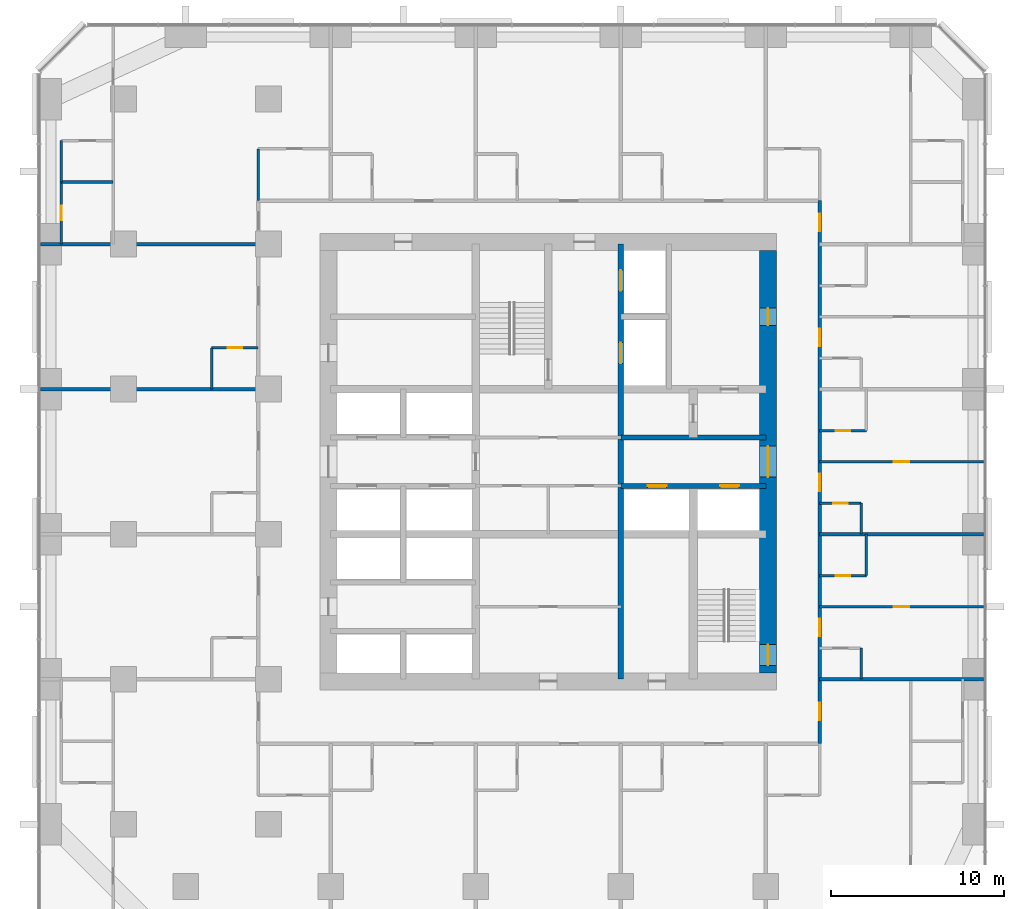
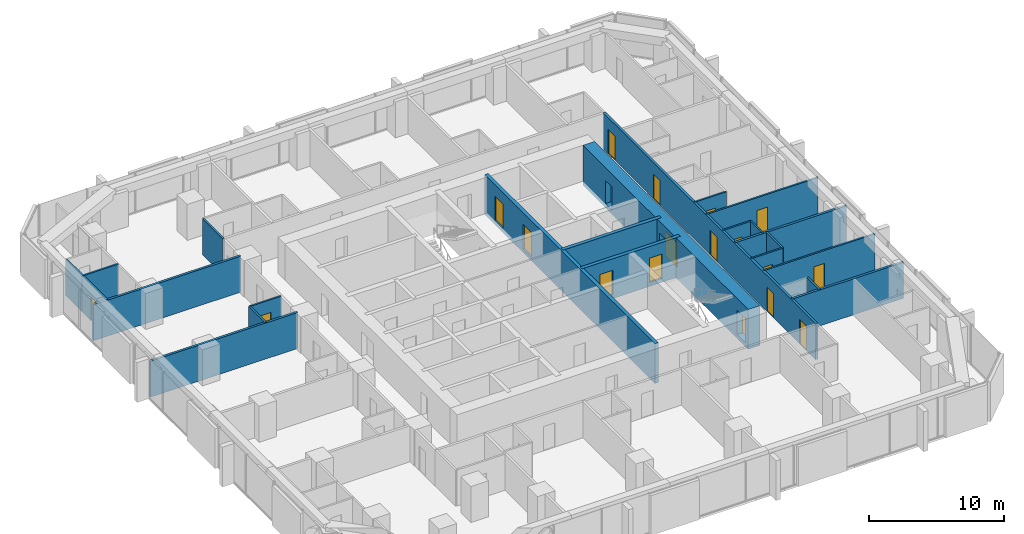
# One storey, part 10 of 13: 23 walls, 19 doors, 19 openings.
"""IFC4 building model written with IfcOpenShell, lengths in metres."""

from ifc_helpers import new_model, si_unit, direction, frame, frame_2d, origin, place, context, subcontext, project, spatial, rectangle, extrude, material, layer, layer_set, type_object, element, fill, save


model = new_model("IFC4")

# Units and contexts
model_context = context("Model", 3, precision=1e-05, world=origin(), true_north=direction((0.0, 1.0)))
body_context = subcontext(model_context, "Body", "Model", "MODEL_VIEW")
ifc_project = project(units=[si_unit("LENGTHUNIT", "METRE"), si_unit("AREAUNIT", "SQUARE_METRE"), si_unit("VOLUMEUNIT", "CUBIC_METRE"), si_unit("PLANEANGLEUNIT", "RADIAN"), si_unit("MASSUNIT", "GRAM", prefix="KILO")], contexts=[model_context])

# Site, building, storey
site_placement = place(None, origin())
site = spatial("IfcSite", under=ifc_project, at=site_placement, CompositionType="ELEMENT")
building_placement = place(site_placement, origin())
building = spatial("IfcBuilding", under=site, at=building_placement, Name="Dunama Terrace Hotel", CompositionType="ELEMENT")
storey_placement = place(building_placement, frame((0.0, 0.0, 118.800048828125)))
storey = spatial("IfcBuildingStorey", under=building, at=storey_placement, Name="L30", CompositionType="ELEMENT", Elevation=118.800048828125)

# Wall, opening, door
ifc_material_1 = material(Name="Gypsum board partition", Category="masonry")
ifc_layer_1 = layer(ifc_material_1, 0.14990234375)
ifc_layer_set_1 = layer_set([ifc_layer_1], Name="Bathroom partition 150")
wall_type_1 = type_object("IfcWallType", Name="Bathroom partition 150", PredefinedType="PARTITIONING", material=ifc_layer_set_1)
wall_1_placement = place(storey_placement, frame((1.199951171875, 42.0, 0.0), z_axis=(0.0, 0.0, 1.0), x_axis=(0.0, 1.0, 0.0)))
wall_1 = element("IfcWall", 1, at=wall_1_placement, inside=storey, type_object=wall_type_1, Name="Bathroom partition 150 L30", PredefinedType="PARTITIONING", context=body_context, shape_type="SweptSolid", body=[
    extrude(rectangle(XDim=3.60009765625, YDim=0.14990234375, at=frame_2d((1.800048828125, 0.0))), origin(), (0.0, 0.0, 1.0), 3.25),
])
opening_1_placement = place(wall_1_placement, frame((1.375, 0.0, 0.0)))
opening_1 = element("IfcOpeningElement", 2, at=opening_1_placement, cuts=wall_1, Name="Opening L30-059", PredefinedType="OPENING", context=body_context, shape_type="SweptSolid", body=[
    extrude(rectangle(XDim=0.85009765625, YDim=2.10009765625, at=frame_2d((0.425048828125, 1.050048828125))), frame((0.0, 0.0849609375, 0.0), z_axis=(0.0, -1.0, 0.0), x_axis=(1.0, 0.0, 0.0)), (0.0, 0.0, 1.0), 0.169921875),
])
ifc_material_2 = material(Name="Timber door with steel frame", Category="steel")
door_type_1 = type_object("IfcDoorType", Name="Bathroom door 850", OperationType="SINGLE_SWING_LEFT", PredefinedType="DOOR", material=ifc_material_2)
door_1_placement = place(opening_1_placement, frame((0.85009765625, 0.0, 0.0), z_axis=(0.0, 0.0, 1.0), x_axis=(-1.0, 0.0, 0.0)))
door_1 = element("IfcDoor", 3, at=door_1_placement, inside=storey, type_object=door_type_1, Name="Door to en-suite bathroom L30-059, type D2", OperationType="SINGLE_SWING_RIGHT", OverallHeight=2.10009765625, OverallWidth=0.85009765625, PredefinedType="DOOR", context=body_context, shape_type="SweptSolid", body=[
    extrude(rectangle(XDim=0.85009765625, YDim=2.10009765625, at=frame_2d((0.425048828125, 1.050048828125))), frame((0.0, 0.025146484375, 0.0), z_axis=(0.0, -1.0, 0.0), x_axis=(1.0, 0.0, 0.0)), (0.0, 0.0, 1.0), 0.050048828125),
])
fill(opening_1, door_1)

# Walls
wall_2_placement = place(storey_placement, frame((9.89990234375, 33.60009765625, 0.0), z_axis=(0.0, 0.0, 1.0), x_axis=(0.0, 1.0, 0.0)))
element("IfcWall", 4, at=wall_2_placement, inside=storey, type_object=wall_type_1, Name="Bathroom partition 150 L30", PredefinedType="PARTITIONING", context=body_context, shape_type="SweptSolid", body=[
    extrude(rectangle(XDim=2.39990234375, YDim=0.14990234375, at=frame_2d((1.199951171875, 0.0))), origin(), (0.0, 0.0, 1.0), 3.25),
])
wall_3_placement = place(storey_placement, frame((12.60009765625, 44.52490234375, 0.0), z_axis=(0.0, 0.0, 1.0), x_axis=(0.0, 1.0, 0.0)))
element("IfcWall", 5, at=wall_3_placement, inside=storey, type_object=wall_type_1, Name="Bathroom partition 150 L30", PredefinedType="PARTITIONING", context=body_context, shape_type="SweptSolid", body=[
    extrude(rectangle(XDim=3.0, YDim=0.14990234375, at=frame_2d((1.5, 0.0))), origin(), (0.0, 0.0, 1.0), 3.25),
])
for number, where, z_axis, x_axis, name in (
    (6, (47.52490234375, 16.800048828125, 0.0), (0.0, 0.0, 1.0), (0.0, 1.0, 0.0), "Bathroom partition 150 L30"),
    (7, (47.52490234375, 25.199951171875, 0.0), (0.0, 0.0, 1.0), (0.0, 1.0, 0.0), "Bathroom partition 150 L30"),
):
    element("IfcWall", number, at=place(storey_placement, frame(where, z_axis=z_axis, x_axis=x_axis)), inside=storey, type_object=wall_type_1, Name=name, PredefinedType="PARTITIONING", context=body_context, shape_type="SweptSolid", body=[
        extrude(rectangle(XDim=1.800048828125, YDim=0.14990234375, at=frame_2d((0.89990234375, 0.0))), origin(), (0.0, 0.0, 1.0), 3.25),
    ])
wall_4_placement = place(storey_placement, frame((47.824951171875, 22.800048828125, 0.0), z_axis=(0.0, 0.0, 1.0), x_axis=(0.0, 1.0, 0.0)))
element("IfcWall", 8, at=wall_4_placement, inside=storey, type_object=wall_type_1, Name="Bathroom partition 150 L30", PredefinedType="PARTITIONING", context=body_context, shape_type="SweptSolid", body=[
    extrude(rectangle(XDim=2.39990234375, YDim=0.14990234375, at=frame_2d((1.199951171875, 0.0))), origin(), (0.0, 0.0, 1.0), 3.25),
])

# Wall, opening, door
wall_5_placement = place(storey_placement, frame((45.125, 22.800048828125, 0.0), z_axis=(0.0, 0.0, 1.0), x_axis=(1.0, 0.0, 0.0)))
wall_5 = element("IfcWall", 9, at=wall_5_placement, inside=storey, type_object=wall_type_1, Name="Bathroom partition 150 L30", PredefinedType="PARTITIONING", context=body_context, shape_type="SweptSolid", body=[
    extrude(rectangle(XDim=2.699951171875, YDim=0.14990234375, at=frame_2d((1.35009765625, 0.0))), origin(), (0.0, 0.0, 1.0), 3.25),
])
opening_2_placement = place(wall_5_placement, frame((0.925048828125, 0.0, 0.0)))
opening_2 = element("IfcOpeningElement", 10, at=opening_2_placement, cuts=wall_5, Name="Opening L30-020", PredefinedType="OPENING", context=body_context, shape_type="SweptSolid", body=[
    extrude(rectangle(XDim=0.85009765625, YDim=2.10009765625, at=frame_2d((0.425048828125, 1.050048828125))), frame((0.0, 0.0849609375, 0.0), z_axis=(0.0, -1.0, 0.0), x_axis=(1.0, 0.0, 0.0)), (0.0, 0.0, 1.0), 0.169921875),
])
door_2_placement = place(opening_2_placement, origin())
door_2 = element("IfcDoor", 11, at=door_2_placement, inside=storey, type_object=door_type_1, Name="Door to en-suite bathroom L30-020, type D2", OperationType="SINGLE_SWING_LEFT", OverallHeight=2.10009765625, OverallWidth=0.85009765625, PredefinedType="DOOR", context=body_context, shape_type="SweptSolid", body=[
    extrude(rectangle(XDim=0.85009765625, YDim=2.10009765625, at=frame_2d((0.425048828125, 1.050048828125))), frame((0.0, 0.02490234375, 0.0), z_axis=(0.0, -1.0, 0.0), x_axis=(1.0, 0.0, 0.0)), (0.0, 0.0, 1.0), 0.050048828125),
])
fill(opening_2, door_2)

wall_6_placement = place(storey_placement, frame((45.125, 27.0, 0.0), z_axis=(0.0, 0.0, 1.0), x_axis=(1.0, 0.0, 0.0)))
wall_6 = element("IfcWall", 12, at=wall_6_placement, inside=storey, type_object=wall_type_1, Name="Bathroom partition 150 L30", PredefinedType="PARTITIONING", context=body_context, shape_type="SweptSolid", body=[
    extrude(rectangle(XDim=2.39990234375, YDim=0.14990234375, at=frame_2d((1.199951171875, 0.0))), origin(), (0.0, 0.0, 1.0), 3.25),
])
opening_3_placement = place(wall_6_placement, frame((0.77490234375, 0.0, 0.0)))
opening_3 = element("IfcOpeningElement", 13, at=opening_3_placement, cuts=wall_6, Name="Opening L30-022", PredefinedType="OPENING", context=body_context, shape_type="SweptSolid", body=[
    extrude(rectangle(XDim=0.85009765625, YDim=2.10009765625, at=frame_2d((0.425048828125, 1.050048828125))), frame((0.0, 0.0849609375, 0.0), z_axis=(0.0, -1.0, 0.0), x_axis=(1.0, 0.0, 0.0)), (0.0, 0.0, 1.0), 0.169921875),
])
door_3_placement = place(opening_3_placement, frame((0.85009765625, 0.0, 0.0), z_axis=(0.0, 0.0, 1.0), x_axis=(-1.0, 0.0, 0.0)))
door_3 = element("IfcDoor", 14, at=door_3_placement, inside=storey, type_object=door_type_1, Name="Door to powder room L30-022, type D2", OperationType="SINGLE_SWING_RIGHT", OverallHeight=2.10009765625, OverallWidth=0.85009765625, PredefinedType="DOOR", context=body_context, shape_type="SweptSolid", body=[
    extrude(rectangle(XDim=0.85009765625, YDim=2.10009765625, at=frame_2d((0.425048828125, 1.050048828125))), frame((0.0, 0.025146484375, 0.0), z_axis=(0.0, -1.0, 0.0), x_axis=(1.0, 0.0, 0.0)), (0.0, 0.0, 1.0), 0.050048828125),
])
fill(opening_3, door_3)

wall_7_placement = place(storey_placement, frame((45.125, 31.199951171875, 0.0), z_axis=(0.0, 0.0, 1.0), x_axis=(1.0, 0.0, 0.0)))
wall_7 = element("IfcWall", 15, at=wall_7_placement, inside=storey, type_object=wall_type_1, Name="Bathroom partition 150 L30", PredefinedType="PARTITIONING", context=body_context, shape_type="SweptSolid", body=[
    extrude(rectangle(XDim=2.699951171875, YDim=0.14990234375, at=frame_2d((1.35009765625, 0.0))), origin(), (0.0, 0.0, 1.0), 3.25),
])
opening_4_placement = place(wall_7_placement, frame((0.925048828125, 0.0, 0.0)))
opening_4 = element("IfcOpeningElement", 16, at=opening_4_placement, cuts=wall_7, Name="Opening L30-024", PredefinedType="OPENING", context=body_context, shape_type="SweptSolid", body=[
    extrude(rectangle(XDim=0.85009765625, YDim=2.10009765625, at=frame_2d((0.425048828125, 1.050048828125))), frame((0.0, 0.0849609375, 0.0), z_axis=(0.0, -1.0, 0.0), x_axis=(1.0, 0.0, 0.0)), (0.0, 0.0, 1.0), 0.169921875),
])
door_4_placement = place(opening_4_placement, origin())
door_4 = element("IfcDoor", 17, at=door_4_placement, inside=storey, type_object=door_type_1, Name="Door to en-suite bathroom L30-024, type D2", OperationType="SINGLE_SWING_LEFT", OverallHeight=2.10009765625, OverallWidth=0.85009765625, PredefinedType="DOOR", context=body_context, shape_type="SweptSolid", body=[
    extrude(rectangle(XDim=0.85009765625, YDim=2.10009765625, at=frame_2d((0.425048828125, 1.050048828125))), frame((0.0, 0.02490234375, 0.0), z_axis=(0.0, -1.0, 0.0), x_axis=(1.0, 0.0, 0.0)), (0.0, 0.0, 1.0), 0.050048828125),
])
fill(opening_4, door_4)

wall_8_placement = place(storey_placement, frame((9.89990234375, 36.0, 0.0), z_axis=(0.0, 0.0, 1.0), x_axis=(1.0, 0.0, 0.0)))
wall_8 = element("IfcWall", 18, at=wall_8_placement, inside=storey, type_object=wall_type_1, Name="Bathroom partition 150 L30", PredefinedType="PARTITIONING", context=body_context, shape_type="SweptSolid", body=[
    extrude(rectangle(XDim=2.7001953125, YDim=0.14990234375, at=frame_2d((1.35009765625, 0.0))), origin(), (0.0, 0.0, 1.0), 3.25),
])
opening_5_placement = place(wall_8_placement, frame((0.925048828125, 0.0, 0.0)))
opening_5 = element("IfcOpeningElement", 19, at=opening_5_placement, cuts=wall_8, Name="Opening L30-040", PredefinedType="OPENING", context=body_context, shape_type="SweptSolid", body=[
    extrude(rectangle(XDim=0.85009765625, YDim=2.10009765625, at=frame_2d((0.425048828125, 1.050048828125))), frame((0.0, 0.0849609375, 0.0), z_axis=(0.0, -1.0, 0.0), x_axis=(1.0, 0.0, 0.0)), (0.0, 0.0, 1.0), 0.169921875),
])
door_5_placement = place(opening_5_placement, frame((0.85009765625, 0.0, 0.0), z_axis=(0.0, 0.0, 1.0), x_axis=(-1.0, 0.0, 0.0)))
door_5 = element("IfcDoor", 20, at=door_5_placement, inside=storey, type_object=door_type_1, Name="Door to en-suite bathroom L30-040, type D2", OperationType="SINGLE_SWING_LEFT", OverallHeight=2.10009765625, OverallWidth=0.85009765625, PredefinedType="DOOR", context=body_context, shape_type="SweptSolid", body=[
    extrude(rectangle(XDim=0.85009765625, YDim=2.10009765625, at=frame_2d((0.425048828125, 1.050048828125))), frame((0.0, 0.025146484375, 0.0), z_axis=(0.0, -1.0, 0.0), x_axis=(1.0, 0.0, 0.0)), (0.0, 0.0, 1.0), 0.050048828125),
])
fill(opening_5, door_5)

# Wall, openings, doors
ifc_material_3 = material(Name="Concrete C50/60", Category="concrete")
ifc_layer_2 = layer(ifc_material_3, 0.300048828125)
ifc_layer_set_2 = layer_set([ifc_layer_2], Name="Core inner wall 300")
wall_type_2 = type_object("IfcWallType", Name="Core inner wall 300", PredefinedType="SHEAR", material=ifc_layer_set_2)
wall_9_placement = place(storey_placement, frame((33.60009765625, 16.800048828125, -0.35009765625), z_axis=(0.0, 0.0, 1.0), x_axis=(0.0, 1.0, 0.0)))
wall_9 = element("IfcWall", 21, at=wall_9_placement, inside=storey, type_object=wall_type_2, Name="Core inner wall 300 L30", PredefinedType="SHEAR", context=body_context, shape_type="SweptSolid", body=[
    extrude(rectangle(XDim=25.199951171875, YDim=0.300048828125, at=frame_2d((12.60009765625, 0.0))), origin(), (0.0, 0.0, 1.0), 3.60009765625),
])
opening_6_placement = place(wall_9_placement, frame((22.5, 0.0, 0.35009765625)))
opening_6 = element("IfcOpeningElement", 22, at=opening_6_placement, cuts=wall_9, Name="Opening L30-009", PredefinedType="OPENING", context=body_context, shape_type="SweptSolid", body=[
    extrude(rectangle(XDim=1.199951171875, YDim=2.199951171875, at=frame_2d((0.60009765625, 1.10009765625))), frame((0.0, 0.159912109375, 0.0), z_axis=(0.0, -1.0, 0.0), x_axis=(1.0, 0.0, 0.0)), (0.0, 0.0, 1.0), 0.320068359375),
])
opening_7_placement = place(wall_9_placement, frame((18.300048828125, 0.0, 0.35009765625)))
opening_7 = element("IfcOpeningElement", 23, at=opening_7_placement, cuts=wall_9, Name="Opening L30-010", PredefinedType="OPENING", context=body_context, shape_type="SweptSolid", body=[
    extrude(rectangle(XDim=1.199951171875, YDim=2.199951171875, at=frame_2d((0.60009765625, 1.10009765625))), frame((0.0, 0.159912109375, 0.0), z_axis=(0.0, -1.0, 0.0), x_axis=(1.0, 0.0, 0.0)), (0.0, 0.0, 1.0), 0.320068359375),
])
ifc_material_4 = material(Name="Stainless steel lift door", Category="steel")
door_type_2 = type_object("IfcDoorType", Name="Firefighting lift landing door 1200", OperationType="DOUBLE_DOOR_SLIDING", PredefinedType="DOOR", material=ifc_material_4)
door_6_placement = place(opening_6_placement, origin())
door_6 = element("IfcDoor", 24, at=door_6_placement, inside=storey, type_object=door_type_2, Name="Landing door FL1 L30-009, type LD2", OperationType="DOUBLE_DOOR_SLIDING", OverallHeight=2.199951171875, OverallWidth=1.199951171875, PredefinedType="DOOR", context=body_context, shape_type="SweptSolid", body=[
    extrude(rectangle(XDim=1.199951171875, YDim=2.199951171875, at=frame_2d((0.60009765625, 1.10009765625))), frame((0.0, 0.02490234375, 0.0), z_axis=(0.0, -1.0, 0.0), x_axis=(1.0, 0.0, 0.0)), (0.0, 0.0, 1.0), 0.050048828125),
])
fill(opening_6, door_6)
door_7_placement = place(opening_7_placement, origin())
door_7 = element("IfcDoor", 25, at=door_7_placement, inside=storey, type_object=door_type_2, Name="Landing door FL2 L30-010, type LD2", OperationType="DOUBLE_DOOR_SLIDING", OverallHeight=2.199951171875, OverallWidth=1.199951171875, PredefinedType="DOOR", context=body_context, shape_type="SweptSolid", body=[
    extrude(rectangle(XDim=1.199951171875, YDim=2.199951171875, at=frame_2d((0.60009765625, 1.10009765625))), frame((0.0, 0.02490234375, 0.0), z_axis=(0.0, -1.0, 0.0), x_axis=(1.0, 0.0, 0.0)), (0.0, 0.0, 1.0), 0.050048828125),
])
fill(opening_7, door_7)

wall_10_placement = place(storey_placement, frame((33.60009765625, 28.0, -0.35009765625), z_axis=(0.0, 0.0, 1.0), x_axis=(1.0, 0.0, 0.0)))
wall_10 = element("IfcWall", 26, at=wall_10_placement, inside=storey, type_object=wall_type_2, Name="Core inner wall 300 L30", PredefinedType="SHEAR", context=body_context, shape_type="SweptSolid", body=[
    extrude(rectangle(XDim=8.39990234375, YDim=0.300048828125, at=frame_2d((4.199951171875, 0.0))), origin(), (0.0, 0.0, 1.0), 3.60009765625),
])
opening_8_placement = place(wall_10_placement, frame((1.550048828125, 0.0, 0.35009765625)))
opening_8 = element("IfcOpeningElement", 27, at=opening_8_placement, cuts=wall_10, Name="Opening L30-003", PredefinedType="OPENING", context=body_context, shape_type="SweptSolid", body=[
    extrude(rectangle(XDim=1.10009765625, YDim=2.199951171875, at=frame_2d((0.550048828125, 1.10009765625))), frame((0.0, 0.159912109375, 0.0), z_axis=(0.0, -1.0, 0.0), x_axis=(1.0, 0.0, 0.0)), (0.0, 0.0, 1.0), 0.320068359375),
])
opening_9_placement = place(wall_10_placement, frame((5.75, 0.0, 0.35009765625)))
opening_9 = element("IfcOpeningElement", 28, at=opening_9_placement, cuts=wall_10, Name="Opening L30-004", PredefinedType="OPENING", context=body_context, shape_type="SweptSolid", body=[
    extrude(rectangle(XDim=1.10009765625, YDim=2.199951171875, at=frame_2d((0.550048828125, 1.10009765625))), frame((0.0, 0.159912109375, 0.0), z_axis=(0.0, -1.0, 0.0), x_axis=(1.0, 0.0, 0.0)), (0.0, 0.0, 1.0), 0.320068359375),
])
ifc_material_5 = material(Name="Stainless steel lift door", Category="steel")
door_type_3 = type_object("IfcDoorType", Name="Lift landing door 1100", OperationType="DOUBLE_DOOR_SLIDING", PredefinedType="DOOR", material=ifc_material_5)
door_8_placement = place(opening_8_placement, origin())
door_8 = element("IfcDoor", 29, at=door_8_placement, inside=storey, type_object=door_type_3, Name="Landing door PB1 L30-003, type LD1", OperationType="DOUBLE_DOOR_SLIDING", OverallHeight=2.199951171875, OverallWidth=1.10009765625, PredefinedType="DOOR", context=body_context, shape_type="SweptSolid", body=[
    extrude(rectangle(XDim=1.10009765625, YDim=2.199951171875, at=frame_2d((0.550048828125, 1.10009765625))), frame((0.0, 0.02490234375, 0.0), z_axis=(0.0, -1.0, 0.0), x_axis=(1.0, 0.0, 0.0)), (0.0, 0.0, 1.0), 0.050048828125),
])
fill(opening_8, door_8)
door_9_placement = place(opening_9_placement, origin())
door_9 = element("IfcDoor", 30, at=door_9_placement, inside=storey, type_object=door_type_3, Name="Landing door PB2 L30-004, type LD1", OperationType="DOUBLE_DOOR_SLIDING", OverallHeight=2.199951171875, OverallWidth=1.10009765625, PredefinedType="DOOR", context=body_context, shape_type="SweptSolid", body=[
    extrude(rectangle(XDim=1.10009765625, YDim=2.199951171875, at=frame_2d((0.550048828125, 1.10009765625))), frame((0.0, 0.02490234375, 0.0), z_axis=(0.0, -1.0, 0.0), x_axis=(1.0, 0.0, 0.0)), (0.0, 0.0, 1.0), 0.050048828125),
])
fill(opening_9, door_9)

# Wall
wall_11_placement = place(storey_placement, frame((33.60009765625, 30.800048828125, -0.35009765625), z_axis=(0.0, 0.0, 1.0), x_axis=(1.0, 0.0, 0.0)))
element("IfcWall", 31, at=wall_11_placement, inside=storey, type_object=wall_type_2, Name="Core inner wall 300 L30", PredefinedType="SHEAR", context=body_context, shape_type="SweptSolid", body=[
    extrude(rectangle(XDim=8.39990234375, YDim=0.300048828125, at=frame_2d((4.199951171875, 0.0))), origin(), (0.0, 0.0, 1.0), 3.60009765625),
])

# Wall, openings, doors
ifc_material_6 = material(Name="Concrete C60/75", Category="concrete")
ifc_layer_3 = layer(ifc_material_6, 1.0)
ifc_layer_set_3 = layer_set([ifc_layer_3], Name="Core wall 1000")
wall_type_3 = type_object("IfcWallType", Name="Core wall 1000", PredefinedType="SHEAR", material=ifc_layer_set_3)
wall_12_placement = place(storey_placement, frame((42.125, 17.175048828125, -0.35009765625), z_axis=(0.0, 0.0, 1.0), x_axis=(0.0, 1.0, 0.0)))
wall_12 = element("IfcWall", 32, at=wall_12_placement, inside=storey, type_object=wall_type_3, Name="Core wall east L30", PredefinedType="SHEAR", context=body_context, shape_type="SweptSolid", body=[
    extrude(rectangle(XDim=24.449951171875, YDim=1.0, at=frame_2d((12.22509765625, 0.0))), origin(), (0.0, 0.0, 1.0), 3.60009765625),
])
opening_10_placement = place(wall_12_placement, frame((0.425048828125, 0.0, 0.35009765625)))
opening_10 = element("IfcOpeningElement", 33, at=opening_10_placement, cuts=wall_12, Name="Opening L30-002", PredefinedType="OPENING", context=body_context, shape_type="SweptSolid", body=[
    extrude(rectangle(XDim=1.199951171875, YDim=2.199951171875, at=frame_2d((0.60009765625, 1.10009765625))), frame((0.0, 0.510009765625, 0.0), z_axis=(0.0, -1.0, 0.0), x_axis=(1.0, 0.0, 0.0)), (0.0, 0.0, 1.0), 1.02001953125),
])
opening_11_placement = place(wall_12_placement, frame((11.324951171875, 0.0, 0.35009765625)))
opening_11 = element("IfcOpeningElement", 34, at=opening_11_placement, cuts=wall_12, Name="Opening L30-071", PredefinedType="OPENING", context=body_context, shape_type="SweptSolid", body=[
    extrude(rectangle(XDim=1.800048828125, YDim=2.199951171875, at=frame_2d((0.89990234375, 1.10009765625))), frame((0.0, 0.510009765625, 0.0), z_axis=(0.0, -1.0, 0.0), x_axis=(1.0, 0.0, 0.0)), (0.0, 0.0, 1.0), 1.02001953125),
])
opening_12_placement = place(wall_12_placement, frame((20.125, 0.0, 0.35009765625)))
opening_12 = element("IfcOpeningElement", 35, at=opening_12_placement, cuts=wall_12, Name="Opening L30-073", PredefinedType="OPENING", context=body_context, shape_type="SweptSolid", body=[
    extrude(rectangle(XDim=1.0, YDim=2.10009765625, at=frame_2d((0.5, 1.050048828125))), frame((0.0, 0.510009765625, 0.0), z_axis=(0.0, -1.0, 0.0), x_axis=(1.0, 0.0, 0.0)), (0.0, 0.0, 1.0), 1.02001953125),
])
ifc_material_7 = material(Name="Timber door with steel frame", Category="steel")
door_type_4 = type_object("IfcDoorType", Name="Lift lobby double door 1800", OperationType="DOUBLE_DOOR_DOUBLE_SWING", PredefinedType="DOOR", material=ifc_material_7)
door_10_placement = place(opening_11_placement, origin())
door_10 = element("IfcDoor", 36, at=door_10_placement, inside=storey, type_object=door_type_4, Name="Door to lift lobby L30-071, type D3", OperationType="DOUBLE_DOOR_DOUBLE_SWING", OverallHeight=2.199951171875, OverallWidth=1.800048828125, PredefinedType="DOOR", context=body_context, shape_type="SweptSolid", body=[
    extrude(rectangle(XDim=1.800048828125, YDim=2.199951171875, at=frame_2d((0.89990234375, 1.10009765625))), frame((0.0, 0.02490234375, 0.0), z_axis=(0.0, -1.0, 0.0), x_axis=(1.0, 0.0, 0.0)), (0.0, 0.0, 1.0), 0.050048828125),
])
fill(opening_11, door_10)
ifc_material_8 = material(Name="Timber door with steel frame", Category="steel")
door_type_5 = type_object("IfcDoorType", Name="Service door 1000", OperationType="SINGLE_SWING_LEFT", PredefinedType="DOOR", material=ifc_material_8)
door_11_placement = place(opening_12_placement, origin())
door_11 = element("IfcDoor", 37, at=door_11_placement, inside=storey, type_object=door_type_5, Name="Door to linen store L30-073, type D7", OperationType="SINGLE_SWING_LEFT", OverallHeight=2.10009765625, OverallWidth=1.0, PredefinedType="DOOR", context=body_context, shape_type="SweptSolid", body=[
    extrude(rectangle(XDim=1.0, YDim=2.10009765625, at=frame_2d((0.5, 1.050048828125))), frame((0.0, 0.02490234375, 0.0), z_axis=(0.0, -1.0, 0.0), x_axis=(1.0, 0.0, 0.0)), (0.0, 0.0, 1.0), 0.050048828125),
])
fill(opening_12, door_11)
ifc_material_9 = material(Name="Timber door with steel frame", Category="steel")
door_type_6 = type_object("IfcDoorType", Name="Stair door 1200", OperationType="SINGLE_SWING_LEFT", PredefinedType="DOOR", material=ifc_material_9)
door_12_placement = place(opening_10_placement, origin())
door_12 = element("IfcDoor", 38, at=door_12_placement, inside=storey, type_object=door_type_6, Name="Stair door ST2 L30-002, type D5", OperationType="SINGLE_SWING_LEFT", OverallHeight=2.199951171875, OverallWidth=1.199951171875, PredefinedType="DOOR", context=body_context, shape_type="SweptSolid", body=[
    extrude(rectangle(XDim=1.199951171875, YDim=2.199951171875, at=frame_2d((0.60009765625, 1.10009765625))), frame((0.0, 0.02490234375, 0.0), z_axis=(0.0, -1.0, 0.0), x_axis=(1.0, 0.0, 0.0)), (0.0, 0.0, 1.0), 0.050048828125),
])
fill(opening_10, door_12)

ifc_material_10 = material(Name="Concrete blockwork", Category="masonry")
ifc_layer_4 = layer(ifc_material_10, 0.199951171875)
ifc_layer_set_4 = layer_set([ifc_layer_4], Name="Corridor partition 200")
wall_type_4 = type_object("IfcWallType", Name="Corridor partition 200", PredefinedType="PARTITIONING", material=ifc_layer_set_4)
wall_13_placement = place(storey_placement, frame((45.125, 44.52490234375, 0.0), z_axis=(0.0, 0.0, 1.0), x_axis=(0.0, -1.0, 0.0)))
wall_13 = element("IfcWall", 39, at=wall_13_placement, inside=storey, type_object=wall_type_4, Name="Corridor partition 200 L30", PredefinedType="PARTITIONING", context=body_context, shape_type="SweptSolid", body=[
    extrude(rectangle(XDim=31.449951171875, YDim=0.199951171875, at=frame_2d((15.72509765625, 0.0))), origin(), (0.0, 0.0, 1.0), 3.25),
])
opening_13_placement = place(wall_13_placement, frame((24.22509765625, 0.0, 0.0)))
opening_13 = element("IfcOpeningElement", 40, at=opening_13_placement, cuts=wall_13, Name="Opening L30-017", PredefinedType="OPENING", context=body_context, shape_type="SweptSolid", body=[
    extrude(rectangle(XDim=1.0, YDim=2.199951171875, at=frame_2d((0.5, 1.10009765625))), frame((0.0, 0.10986328125, 0.0), z_axis=(0.0, -1.0, 0.0), x_axis=(1.0, 0.0, 0.0)), (0.0, 0.0, 1.0), 0.219970703125),
])
opening_14_placement = place(wall_13_placement, frame((15.824951171875, 0.0, 0.0)))
opening_14 = element("IfcOpeningElement", 41, at=opening_14_placement, cuts=wall_13, Name="Opening L30-021", PredefinedType="OPENING", context=body_context, shape_type="SweptSolid", body=[
    extrude(rectangle(XDim=1.0, YDim=2.199951171875, at=frame_2d((0.5, 1.10009765625))), frame((0.0, 0.10986328125, 0.0), z_axis=(0.0, -1.0, 0.0), x_axis=(1.0, 0.0, 0.0)), (0.0, 0.0, 1.0), 0.219970703125),
])
opening_15_placement = place(wall_13_placement, frame((7.425048828125, 0.0, 0.0)))
opening_15 = element("IfcOpeningElement", 42, at=opening_15_placement, cuts=wall_13, Name="Opening L30-025", PredefinedType="OPENING", context=body_context, shape_type="SweptSolid", body=[
    extrude(rectangle(XDim=1.0, YDim=2.199951171875, at=frame_2d((0.5, 1.10009765625))), frame((0.0, 0.10986328125, 0.0), z_axis=(0.0, -1.0, 0.0), x_axis=(1.0, 0.0, 0.0)), (0.0, 0.0, 1.0), 0.219970703125),
])
opening_16_placement = place(wall_13_placement, frame((29.0869140625, 0.0, 0.0)))
opening_16 = element("IfcOpeningElement", 43, at=opening_16_placement, cuts=wall_13, Name="Opening L30-046", PredefinedType="OPENING", context=body_context, shape_type="SweptSolid", body=[
    extrude(rectangle(XDim=1.0, YDim=2.199951171875, at=frame_2d((0.5, 1.10009765625))), frame((0.0, 0.10986328125, 0.0), z_axis=(0.0, -1.0, 0.0), x_axis=(1.0, 0.0, 0.0)), (0.0, 0.0, 1.0), 0.219970703125),
])
opening_17_placement = place(wall_13_placement, frame((0.761962890625, 0.0, 0.0)))
opening_17 = element("IfcOpeningElement", 44, at=opening_17_placement, cuts=wall_13, Name="Opening L30-051", PredefinedType="OPENING", context=body_context, shape_type="SweptSolid", body=[
    extrude(rectangle(XDim=1.0, YDim=2.199951171875, at=frame_2d((0.5, 1.10009765625))), frame((0.0, 0.10986328125, 0.0), z_axis=(0.0, -1.0, 0.0), x_axis=(1.0, 0.0, 0.0)), (0.0, 0.0, 1.0), 0.219970703125),
])
ifc_material_11 = material(Name="Timber door with steel frame", Category="steel")
door_type_7 = type_object("IfcDoorType", Name="Guest room door 1000", OperationType="SINGLE_SWING_LEFT", PredefinedType="DOOR", material=ifc_material_11)
door_13_placement = place(opening_13_placement, origin())
door_13 = element("IfcDoor", 45, at=door_13_placement, inside=storey, type_object=door_type_7, Name="Door to premier suite living room L30-017, type D1", OperationType="SINGLE_SWING_RIGHT", OverallHeight=2.199951171875, OverallWidth=1.0, PredefinedType="DOOR", context=body_context, shape_type="SweptSolid", body=[
    extrude(rectangle(XDim=1.0, YDim=2.199951171875, at=frame_2d((0.5, 1.10009765625))), frame((0.0, 0.02490234375, 0.0), z_axis=(0.0, -1.0, 0.0), x_axis=(1.0, 0.0, 0.0)), (0.0, 0.0, 1.0), 0.050048828125),
])
fill(opening_13, door_13)
door_14_placement = place(opening_14_placement, origin())
door_14 = element("IfcDoor", 46, at=door_14_placement, inside=storey, type_object=door_type_7, Name="Door to premier suite living room L30-021, type D1", OperationType="SINGLE_SWING_RIGHT", OverallHeight=2.199951171875, OverallWidth=1.0, PredefinedType="DOOR", context=body_context, shape_type="SweptSolid", body=[
    extrude(rectangle(XDim=1.0, YDim=2.199951171875, at=frame_2d((0.5, 1.10009765625))), frame((0.0, 0.02490234375, 0.0), z_axis=(0.0, -1.0, 0.0), x_axis=(1.0, 0.0, 0.0)), (0.0, 0.0, 1.0), 0.050048828125),
])
fill(opening_14, door_14)
door_15_placement = place(opening_15_placement, origin())
door_15 = element("IfcDoor", 47, at=door_15_placement, inside=storey, type_object=door_type_7, Name="Door to premier suite living room L30-025, type D1", OperationType="SINGLE_SWING_LEFT", OverallHeight=2.199951171875, OverallWidth=1.0, PredefinedType="DOOR", context=body_context, shape_type="SweptSolid", body=[
    extrude(rectangle(XDim=1.0, YDim=2.199951171875, at=frame_2d((0.5, 1.10009765625))), frame((0.0, 0.02490234375, 0.0), z_axis=(0.0, -1.0, 0.0), x_axis=(1.0, 0.0, 0.0)), (0.0, 0.0, 1.0), 0.050048828125),
])
fill(opening_15, door_15)
door_16_placement = place(opening_16_placement, origin())
door_16 = element("IfcDoor", 48, at=door_16_placement, inside=storey, type_object=door_type_7, Name="Door to corner suite living room L30-046, type D1", OperationType="SINGLE_SWING_LEFT", OverallHeight=2.199951171875, OverallWidth=1.0, PredefinedType="DOOR", context=body_context, shape_type="SweptSolid", body=[
    extrude(rectangle(XDim=1.0, YDim=2.199951171875, at=frame_2d((0.5, 1.10009765625))), frame((0.0, 0.02490234375, 0.0), z_axis=(0.0, -1.0, 0.0), x_axis=(1.0, 0.0, 0.0)), (0.0, 0.0, 1.0), 0.050048828125),
])
fill(opening_16, door_16)
door_17_placement = place(opening_17_placement, origin())
door_17 = element("IfcDoor", 49, at=door_17_placement, inside=storey, type_object=door_type_7, Name="Door to corner suite living room L30-051, type D1", OperationType="SINGLE_SWING_LEFT", OverallHeight=2.199951171875, OverallWidth=1.0, PredefinedType="DOOR", context=body_context, shape_type="SweptSolid", body=[
    extrude(rectangle(XDim=1.0, YDim=2.199951171875, at=frame_2d((0.5, 1.10009765625))), frame((0.0, 0.02490234375, 0.0), z_axis=(0.0, -1.0, 0.0), x_axis=(1.0, 0.0, 0.0)), (0.0, 0.0, 1.0), 0.050048828125),
])
fill(opening_17, door_17)

# Walls
ifc_material_12 = material(Name="Concrete blockwork", Category="masonry")
ifc_layer_5 = layer(ifc_material_12, 0.199951171875)
ifc_layer_set_5 = layer_set([ifc_layer_5], Name="Party wall 200")
wall_type_5 = type_object("IfcWallType", Name="Party wall 200", PredefinedType="PARTITIONING", material=ifc_layer_set_5)
for number, where, z_axis, x_axis, name in (
    (50, (45.125, 16.800048828125, 0.0), (0.0, 0.0, 1.0), (1.0, 0.0, 0.0), "Party wall 200 L30"),
    (51, (45.125, 25.199951171875, 0.0), (0.0, 0.0, 1.0), (1.0, 0.0, 0.0), "Party wall 200 L30"),
):
    element("IfcWall", number, at=place(storey_placement, frame(where, z_axis=z_axis, x_axis=x_axis)), inside=storey, type_object=wall_type_5, Name=name, PredefinedType="PARTITIONING", context=body_context, shape_type="SweptSolid", body=[
        extrude(rectangle(XDim=9.492919921875, YDim=0.199951171875, at=frame_2d((4.74658203125, 0.0))), origin(), (0.0, 0.0, 1.0), 3.25),
    ])
for number, where, z_axis, x_axis, name in (
    (52, (-0.01806640625, 33.60009765625, 0.0), (0.0, 0.0, 1.0), (1.0, 0.0, 0.0), "Party wall 200 L30"),
    (53, (-0.01806640625, 42.0, 0.0), (0.0, 0.0, 1.0), (1.0, 0.0, 0.0), "Party wall 200 L30"),
):
    element("IfcWall", number, at=place(storey_placement, frame(where, z_axis=z_axis, x_axis=x_axis)), inside=storey, type_object=wall_type_5, Name=name, PredefinedType="PARTITIONING", context=body_context, shape_type="SweptSolid", body=[
        extrude(rectangle(XDim=12.6181640625, YDim=0.199951171875, at=frame_2d((6.30908203125, 0.0))), origin(), (0.0, 0.0, 1.0), 3.25),
    ])
ifc_material_13 = material(Name="Gypsum board partition", Category="masonry")
ifc_layer_6 = layer(ifc_material_13, 0.14990234375)
ifc_layer_set_6 = layer_set([ifc_layer_6], Name="Room partition 150")
wall_type_6 = type_object("IfcWallType", Name="Room partition 150", PredefinedType="PARTITIONING", material=ifc_layer_set_6)
wall_14_placement = place(storey_placement, frame((1.199951171875, 45.60009765625, 0.0), z_axis=(0.0, 0.0, 1.0), x_axis=(0.0, 1.0, 0.0)))
element("IfcWall", 54, at=wall_14_placement, inside=storey, type_object=wall_type_6, Name="Room partition 150 L30", PredefinedType="PARTITIONING", context=body_context, shape_type="SweptSolid", body=[
    extrude(rectangle(XDim=2.39990234375, YDim=0.14990234375, at=frame_2d((1.199951171875, 0.0))), origin(), (0.0, 0.0, 1.0), 3.25),
])

# Wall, opening, door
wall_15_placement = place(storey_placement, frame((45.125, 21.0, 0.0), z_axis=(0.0, 0.0, 1.0), x_axis=(1.0, 0.0, 0.0)))
wall_15 = element("IfcWall", 55, at=wall_15_placement, inside=storey, type_object=wall_type_6, Name="Room partition 150 L30", PredefinedType="PARTITIONING", context=body_context, shape_type="SweptSolid", body=[
    extrude(rectangle(XDim=9.492919921875, YDim=0.14990234375, at=frame_2d((4.74658203125, 0.0))), origin(), (0.0, 0.0, 1.0), 3.25),
])
opening_18_placement = place(wall_15_placement, frame((4.287109375, 0.0, 0.0)))
opening_18 = element("IfcOpeningElement", 56, at=opening_18_placement, cuts=wall_15, Name="Opening L30-019", PredefinedType="OPENING", context=body_context, shape_type="SweptSolid", body=[
    extrude(rectangle(XDim=0.89990234375, YDim=2.10009765625, at=frame_2d((0.449951171875, 1.050048828125))), frame((0.0, 0.0849609375, 0.0), z_axis=(0.0, -1.0, 0.0), x_axis=(1.0, 0.0, 0.0)), (0.0, 0.0, 1.0), 0.169921875),
])
ifc_material_14 = material(Name="Timber door with steel frame", Category="steel")
door_type_8 = type_object("IfcDoorType", Name="Suite internal door 900", OperationType="SINGLE_SWING_LEFT", PredefinedType="DOOR", material=ifc_material_14)
door_18_placement = place(opening_18_placement, origin())
door_18 = element("IfcDoor", 57, at=door_18_placement, inside=storey, type_object=door_type_8, Name="Door to premier suite bedroom L30-019, type D16", OperationType="SINGLE_SWING_LEFT", OverallHeight=2.10009765625, OverallWidth=0.89990234375, PredefinedType="DOOR", context=body_context, shape_type="SweptSolid", body=[
    extrude(rectangle(XDim=0.89990234375, YDim=2.10009765625, at=frame_2d((0.449951171875, 1.050048828125))), frame((0.0, 0.02490234375, 0.0), z_axis=(0.0, -1.0, 0.0), x_axis=(1.0, 0.0, 0.0)), (0.0, 0.0, 1.0), 0.050048828125),
])
fill(opening_18, door_18)

wall_16_placement = place(storey_placement, frame((45.125, 29.39990234375, 0.0), z_axis=(0.0, 0.0, 1.0), x_axis=(1.0, 0.0, 0.0)))
wall_16 = element("IfcWall", 58, at=wall_16_placement, inside=storey, type_object=wall_type_6, Name="Room partition 150 L30", PredefinedType="PARTITIONING", context=body_context, shape_type="SweptSolid", body=[
    extrude(rectangle(XDim=9.492919921875, YDim=0.14990234375, at=frame_2d((4.74658203125, 0.0))), origin(), (0.0, 0.0, 1.0), 3.25),
])
opening_19_placement = place(wall_16_placement, frame((4.287109375, 0.0, 0.0)))
opening_19 = element("IfcOpeningElement", 59, at=opening_19_placement, cuts=wall_16, Name="Opening L30-023", PredefinedType="OPENING", context=body_context, shape_type="SweptSolid", body=[
    extrude(rectangle(XDim=0.89990234375, YDim=2.10009765625, at=frame_2d((0.449951171875, 1.050048828125))), frame((0.0, 0.0849609375, 0.0), z_axis=(0.0, -1.0, 0.0), x_axis=(1.0, 0.0, 0.0)), (0.0, 0.0, 1.0), 0.169921875),
])
door_19_placement = place(opening_19_placement, origin())
door_19 = element("IfcDoor", 60, at=door_19_placement, inside=storey, type_object=door_type_8, Name="Door to premier suite bedroom L30-023, type D16", OperationType="SINGLE_SWING_LEFT", OverallHeight=2.10009765625, OverallWidth=0.89990234375, PredefinedType="DOOR", context=body_context, shape_type="SweptSolid", body=[
    extrude(rectangle(XDim=0.89990234375, YDim=2.10009765625, at=frame_2d((0.449951171875, 1.050048828125))), frame((0.0, 0.02490234375, 0.0), z_axis=(0.0, -1.0, 0.0), x_axis=(1.0, 0.0, 0.0)), (0.0, 0.0, 1.0), 0.050048828125),
])
fill(opening_19, door_19)

# Wall
wall_17_placement = place(storey_placement, frame((1.199951171875, 45.60009765625, 0.0), z_axis=(0.0, 0.0, 1.0), x_axis=(1.0, 0.0, 0.0)))
element("IfcWall", 61, at=wall_17_placement, inside=storey, type_object=wall_type_6, Name="Room partition 150 L30", PredefinedType="PARTITIONING", context=body_context, shape_type="SweptSolid", body=[
    extrude(rectangle(XDim=3.0, YDim=0.14990234375, at=frame_2d((1.5, 0.0))), origin(), (0.0, 0.0, 1.0), 3.25),
])

save(model, "model.ifc")
